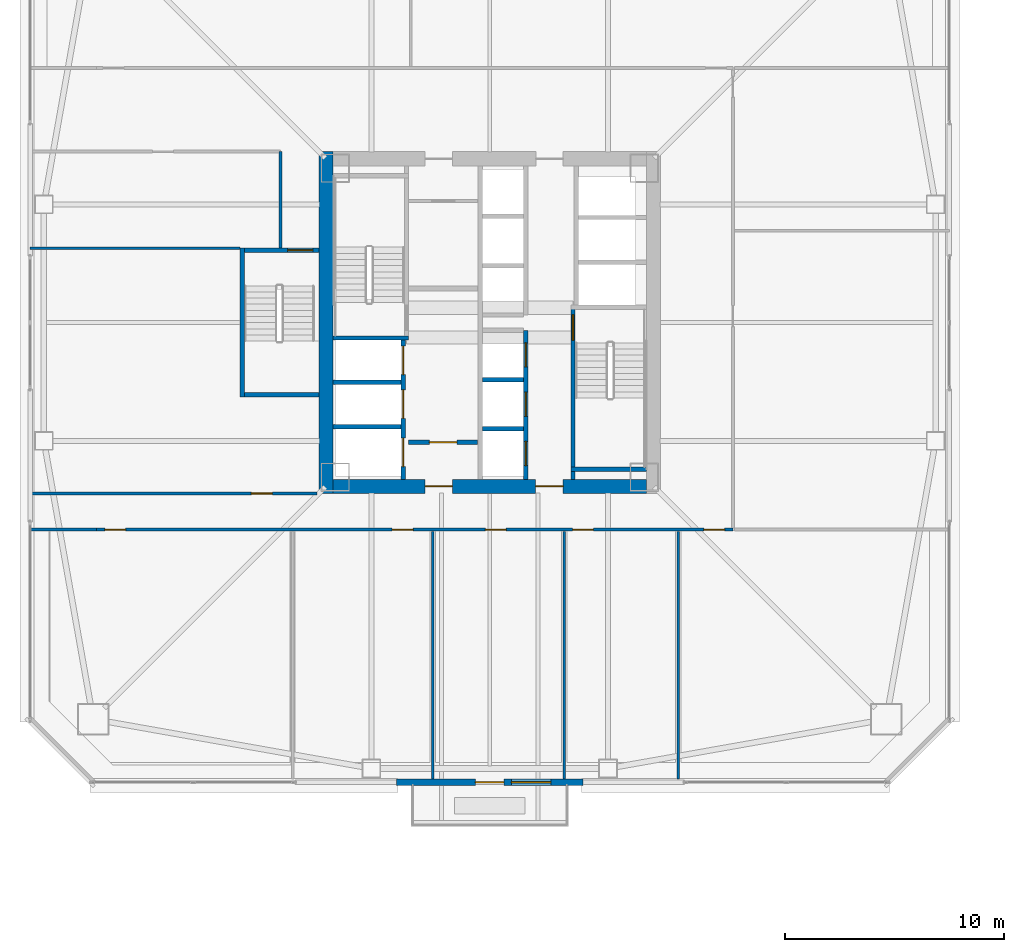
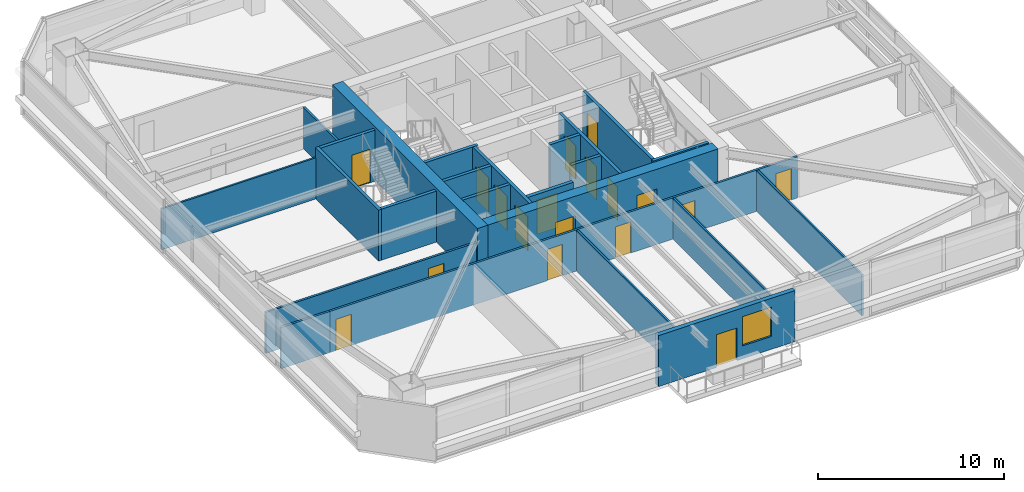
# One storey, part 33 of 44: 24 walls, 18 doors, 1 window, 19 openings.
"""IFC4 building model written with IfcOpenShell, lengths in metres."""

from ifc_helpers import new_model, si_unit, direction, frame, frame_2d, origin, place, context, subcontext, project, spatial, rectangle, extrude, material, layer, layer_set, type_object, element, fill, save


model = new_model("IFC4")

# Units and contexts
model_context = context("Model", 3, precision=1e-05, world=origin(), true_north=direction((0.0, 1.0)))
body_context = subcontext(model_context, "Body", "Model", "MODEL_VIEW")
ifc_project = project(units=[si_unit("LENGTHUNIT", "METRE"), si_unit("AREAUNIT", "SQUARE_METRE"), si_unit("VOLUMEUNIT", "CUBIC_METRE"), si_unit("PLANEANGLEUNIT", "RADIAN"), si_unit("MASSUNIT", "GRAM", prefix="KILO")], contexts=[model_context])

# Site, building, storey
site_placement = place(None, origin())
site = spatial("IfcSite", under=ifc_project, at=site_placement, CompositionType="ELEMENT")
building_placement = place(site_placement, origin())
building = spatial("IfcBuilding", under=site, at=building_placement, Name="Tashvorn Skyway Center", CompositionType="ELEMENT")
storey_placement = place(building_placement, frame((0.0, 0.0, 92.050048828125)))
storey = spatial("IfcBuildingStorey", under=building, at=storey_placement, Name="L24", CompositionType="ELEMENT", Elevation=92.050048828125)

# Wall
ifc_material_1 = material(Name="Concrete C60/75", Category="concrete")
ifc_layer_1 = layer(ifc_material_1, 0.64990234375)
ifc_layer_set_1 = layer_set([ifc_layer_1], Name="Concrete C60/75")
wall_type_1 = type_object("IfcWallType", Name="WALL-CORE-650", PredefinedType="SHEAR", material=ifc_layer_set_1)
wall_1_placement = place(storey_placement, frame((34.52490234375, 24.199951171875, 0.0), z_axis=(0.0, 0.0, 1.0), x_axis=(0.0, 1.0, 0.0)))
element("IfcWall", 1, at=wall_1_placement, inside=storey, type_object=wall_type_1, Name="Tower 1 L24 West Core Shear Wall", PredefinedType="SHEAR", context=body_context, shape_type="SweptSolid", body=[
    extrude(rectangle(XDim=15.60009765625, YDim=0.64990234375, at=frame_2d((7.800048828125, 0.0))), origin(), (0.0, 0.0, 1.0), 3.550048828125),
])

# Wall, openings, doors
wall_2_placement = place(storey_placement, frame((49.14990234375, 24.52490234375, 0.0), z_axis=(0.0, 0.0, 1.0), x_axis=(-1.0, 0.0, 0.0)))
wall_2 = element("IfcWall", 2, at=wall_2_placement, inside=storey, type_object=wall_type_1, Name="Tower 1 L24 South Core Shear Wall", PredefinedType="SHEAR", context=body_context, shape_type="SweptSolid", body=[
    extrude(rectangle(XDim=14.2998046875, YDim=0.64990234375, at=frame_2d((7.14990234375, 0.0))), origin(), (0.0, 0.0, 1.0), 3.550048828125),
])
opening_1_placement = place(wall_2_placement, frame((8.85009765625, 0.0, 0.0)))
opening_1 = element("IfcOpeningElement", 3, at=opening_1_placement, cuts=wall_2, Name="Opening D-FFL-1250", PredefinedType="OPENING", context=body_context, shape_type="SweptSolid", body=[
    extrude(rectangle(XDim=1.25, YDim=2.25, at=frame_2d((0.625, 1.125))), frame((0.0, 0.3349609375, 0.0), z_axis=(0.0, -1.0, 0.0), x_axis=(1.0, 0.0, 0.0)), (0.0, 0.0, 1.0), 0.669921875),
])
opening_2_placement = place(wall_2_placement, frame((3.800048828125, 0.0, 0.0)))
opening_2 = element("IfcOpeningElement", 4, at=opening_2_placement, cuts=wall_2, Name="Opening D-FFL-1250", PredefinedType="OPENING", context=body_context, shape_type="SweptSolid", body=[
    extrude(rectangle(XDim=1.25, YDim=2.25, at=frame_2d((0.625, 1.125))), frame((0.0, 0.3349609375, 0.0), z_axis=(0.0, -1.0, 0.0), x_axis=(1.0, 0.0, 0.0)), (0.0, 0.0, 1.0), 0.669921875),
])
ifc_material_2 = material(Name="Hollow galvanized steel fire door assembly", Category="steel")
door_type_1 = type_object("IfcDoorType", Name="DOOR-FFL-1250", OperationType="NOTDEFINED", PredefinedType="DOOR", material=ifc_material_2)
door_1_placement = place(opening_1_placement, origin())
door_1 = element("IfcDoor", 5, at=door_1_placement, inside=storey, type_object=door_type_1, Name="Tower 1 L24 Core South Firefighting Exit Door", OperationType="SINGLE_SWING_LEFT", OverallHeight=2.25, OverallWidth=1.25, PredefinedType="DOOR", context=body_context, shape_type="SweptSolid", body=[
    extrude(rectangle(XDim=1.25, YDim=2.25, at=frame_2d((0.625, 1.125))), frame((0.0, 0.02490234375, 0.0), z_axis=(0.0, -1.0, 0.0), x_axis=(1.0, 0.0, 0.0)), (0.0, 0.0, 1.0), 0.050048828125),
])
fill(opening_1, door_1)
door_2_placement = place(opening_2_placement, origin())
door_2 = element("IfcDoor", 6, at=door_2_placement, inside=storey, type_object=door_type_1, Name="Tower 1 L24 Core South Lift Lobby Door", OperationType="SINGLE_SWING_RIGHT", OverallHeight=2.25, OverallWidth=1.25, PredefinedType="DOOR", context=body_context, shape_type="SweptSolid", body=[
    extrude(rectangle(XDim=1.25, YDim=2.25, at=frame_2d((0.625, 1.125))), frame((0.0, 0.02490234375, 0.0), z_axis=(0.0, -1.0, 0.0), x_axis=(1.0, 0.0, 0.0)), (0.0, 0.0, 1.0), 0.050048828125),
])
fill(opening_2, door_2)

# Wall, openings, door, window
ifc_material_3 = material(Name="Precast concrete C40/50", Category="concrete")
ifc_layer_2 = layer(ifc_material_3, 0.280029296875)
ifc_layer_set_2 = layer_set([ifc_layer_2], Name="Precast concrete C40/50")
wall_type_2 = type_object("IfcWallType", Name="WALL-EXT-280", PredefinedType="SOLIDWALL", material=ifc_layer_set_2)
wall_3_placement = place(storey_placement, frame((46.25, 11.02001953125, 0.0), z_axis=(0.0, 0.0, 1.0), x_axis=(-1.0, 0.0, 0.0)))
wall_3 = element("IfcWall", 7, at=wall_3_placement, inside=storey, type_object=wall_type_2, Name="Tower 1 L24 South Terrace Portal Wall", PredefinedType="SOLIDWALL", context=body_context, shape_type="SweptSolid", body=[
    extrude(rectangle(XDim=8.5, YDim=0.280029296875, at=frame_2d((4.25, 0.0))), origin(), (0.0, 0.0, 1.0), 3.349853515625),
])
opening_3_placement = place(wall_3_placement, frame((3.60009765625, 0.0, 0.0)))
opening_3 = element("IfcOpeningElement", 8, at=opening_3_placement, cuts=wall_3, Name="Opening D-TER-1300", PredefinedType="OPENING", context=body_context, shape_type="SweptSolid", body=[
    extrude(rectangle(XDim=1.300048828125, YDim=2.14990234375, at=frame_2d((0.64990234375, 1.074951171875))), frame((0.0, 0.14990234375, 0.0), z_axis=(0.0, -1.0, 0.0), x_axis=(1.0, 0.0, 0.0)), (0.0, 0.0, 1.0), 0.300048828125),
])
opening_4_placement = place(wall_3_placement, frame((1.4599609375, 0.0, 0.85009765625)))
opening_4 = element("IfcOpeningElement", 9, at=opening_4_placement, cuts=wall_3, Name="Opening WIN-1800", PredefinedType="OPENING", context=body_context, shape_type="SweptSolid", body=[
    extrude(rectangle(XDim=1.800048828125, YDim=1.919921875, at=frame_2d((0.89990234375, 0.9599609375))), frame((0.0, 0.14990234375, 0.0), z_axis=(0.0, -1.0, 0.0), x_axis=(1.0, 0.0, 0.0)), (0.0, 0.0, 1.0), 0.300048828125),
])
ifc_material_4 = material(Name="Thermally broken bronze-anodized aluminium 6063-T6", Category="aluminium")
door_type_2 = type_object("IfcDoorType", Name="DOOR-TERR-1300", OperationType="NOTDEFINED", PredefinedType="DOOR", material=ifc_material_4)
door_3_placement = place(opening_3_placement, origin())
door_3 = element("IfcDoor", 10, at=door_3_placement, inside=storey, type_object=door_type_2, Name="Tower 1 L24 Terrace Access Door", OperationType="SINGLE_SWING_RIGHT", OverallHeight=2.14990234375, OverallWidth=1.300048828125, PredefinedType="DOOR", context=body_context, shape_type="SweptSolid", body=[
    extrude(rectangle(XDim=1.300048828125, YDim=2.14990234375, at=frame_2d((0.64990234375, 1.074951171875))), frame((0.0, 0.02490234375, 0.0), z_axis=(0.0, -1.0, 0.0), x_axis=(1.0, 0.0, 0.0)), (0.0, 0.0, 1.0), 0.050048828125),
])
fill(opening_3, door_3)
ifc_material_5 = material(Name="Low-E solar-control double insulating safety glass", Category="glass")
window_type = type_object("IfcWindowType", Name="WIN-TERR-1800", PartitioningType="SINGLE_PANEL", PredefinedType="WINDOW", material=ifc_material_5)
window_placement = place(opening_4_placement, origin())
window = element("IfcWindow", 11, at=window_placement, inside=storey, type_object=window_type, Name="Tower 1 L24 Terrace Window", OverallHeight=1.919921875, OverallWidth=1.800048828125, PartitioningType="SINGLE_PANEL", PredefinedType="WINDOW", context=body_context, shape_type="SweptSolid", body=[
    extrude(rectangle(XDim=1.800048828125, YDim=1.919921875, at=frame_2d((0.89990234375, 0.9599609375))), frame((0.0, 0.030029296875, 0.0), z_axis=(0.0, -1.0, 0.0), x_axis=(1.0, 0.0, 0.0)), (0.0, 0.0, 1.0), 0.06005859375),
])
fill(opening_4, window)

# Wall, opening, door
ifc_material_6 = material(Name="Concrete C40/50", Category="concrete")
ifc_layer_3 = layer(ifc_material_6, 0.219970703125)
ifc_layer_set_3 = layer_set([ifc_layer_3], Name="Concrete C40/50")
wall_type_3 = type_object("IfcWallType", Name="WALL-FFL-220", PredefinedType="SOLIDWALL", material=ifc_layer_set_3)
wall_4_placement = place(storey_placement, frame((38.300048828125, 26.5400390625, 0.0), z_axis=(0.0, 0.0, 1.0), x_axis=(1.0, 0.0, 0.0)))
wall_4 = element("IfcWall", 12, at=wall_4_placement, inside=storey, type_object=wall_type_3, Name="Tower 1 L24 Firefighting Lobby South Wall", PredefinedType="SOLIDWALL", context=body_context, shape_type="SweptSolid", body=[
    extrude(rectangle(XDim=3.14990234375, YDim=0.219970703125, at=frame_2d((1.574951171875, 0.0))), origin(), (0.0, 0.0, 1.0), 2.702880859375),
])
opening_5_placement = place(wall_4_placement, frame((0.949951171875, 0.0, 0.0)))
opening_5 = element("IfcOpeningElement", 13, at=opening_5_placement, cuts=wall_4, Name="Opening D-FFL-1250", PredefinedType="OPENING", context=body_context, shape_type="SweptSolid", body=[
    extrude(rectangle(XDim=1.25, YDim=2.25, at=frame_2d((0.625, 1.125))), frame((0.0, 0.119873046875, 0.0), z_axis=(0.0, -1.0, 0.0), x_axis=(1.0, 0.0, 0.0)), (0.0, 0.0, 1.0), 0.239990234375),
])
door_4_placement = place(opening_5_placement, origin())
door_4 = element("IfcDoor", 14, at=door_4_placement, inside=storey, type_object=door_type_1, Name="Tower 1 L24 Firefighting Lobby Egress Door", OperationType="SINGLE_SWING_LEFT", OverallHeight=2.25, OverallWidth=1.25, PredefinedType="DOOR", context=body_context, shape_type="SweptSolid", body=[
    extrude(rectangle(XDim=1.25, YDim=2.25, at=frame_2d((0.625, 1.125))), frame((0.0, 0.02490234375, 0.0), z_axis=(0.0, -1.0, 0.0), x_axis=(1.0, 0.0, 0.0)), (0.0, 0.0, 1.0), 0.050048828125),
])
fill(opening_5, door_4)

# Walls
ifc_material_7 = material(Name="Gypsum board on cold-formed steel stud framing", Category="steel")
ifc_layer_4 = layer(ifc_material_7, 0.110107421875)
ifc_layer_set_4 = layer_set([ifc_layer_4], Name="Gypsum board on cold-formed steel stud framing")
wall_type_4 = type_object("IfcWallType", Name="WALL-PART-110", PredefinedType="PARTITIONING", material=ifc_layer_set_4)
for number, where, z_axis, x_axis, name in (
    (15, (39.39990234375, 11.169921875, 0.0), (0.0, 0.0, 1.0), (0.0, 1.0, 0.0), "Tower 1 L24 South Suite Partition 2"),
    (16, (45.39990234375, 11.169921875, 0.0), (0.0, 0.0, 1.0), (0.0, 1.0, 0.0), "Tower 1 L24 South Suite Partition 3"),
    (17, (50.60009765625, 11.169921875, 0.0), (0.0, 0.0, 1.0), (0.0, 1.0, 0.0), "Tower 1 L24 South Suite Partition 4"),
):
    element("IfcWall", number, at=place(storey_placement, frame(where, z_axis=z_axis, x_axis=x_axis)), inside=storey, type_object=wall_type_4, Name=name, PredefinedType="PARTITIONING", context=body_context, shape_type="SweptSolid", body=[
        extrude(rectangle(XDim=11.300048828125, YDim=0.110107421875, at=frame_2d((5.64990234375, 0.0))), origin(), (0.0, 0.0, 1.0), 2.702880859375),
    ])
wall_5_placement = place(storey_placement, frame((30.60009765625, 35.39990234375, 0.0), z_axis=(0.0, 0.0, 1.0), x_axis=(-1.0, 0.0, 0.0)))
element("IfcWall", 18, at=wall_5_placement, inside=storey, type_object=wall_type_4, Name="Tower 1 L24 West Suite Partition 1", PredefinedType="PARTITIONING", context=body_context, shape_type="SweptSolid", body=[
    extrude(rectangle(XDim=9.580078125, YDim=0.110107421875, at=frame_2d((4.7900390625, 0.0))), origin(), (0.0, 0.0, 1.0), 2.702880859375),
])
ifc_layer_5 = layer(ifc_material_7, 0.135009765625)
ifc_layer_set_5 = layer_set([ifc_layer_5], Name="Gypsum board on cold-formed steel stud framing")
wall_type_5 = type_object("IfcWallType", Name="WALL-PART-135", PredefinedType="PARTITIONING", material=ifc_layer_set_5)
wall_6_placement = place(storey_placement, frame((32.449951171875, 35.39990234375, 0.0), z_axis=(0.0, 0.0, 1.0), x_axis=(0.0, 1.0, 0.0)))
element("IfcWall", 19, at=wall_6_placement, inside=storey, type_object=wall_type_5, Name="Tower 1 L24 Stair 3 Access Corridor Wall", PredefinedType="PARTITIONING", context=body_context, shape_type="SweptSolid", body=[
    extrude(rectangle(XDim=4.400146484375, YDim=0.135009765625, at=frame_2d((2.2001953125, 0.0))), origin(), (0.0, 0.0, 1.0), 2.702880859375),
])

# Wall, openings, doors
wall_7_placement = place(storey_placement, frame((53.10009765625, 22.550048828125, 0.0), z_axis=(0.0, 0.0, 1.0), x_axis=(-1.0, 0.0, 0.0)))
wall_7 = element("IfcWall", 20, at=wall_7_placement, inside=storey, type_object=wall_type_5, Name="Tower 1 L24 South Suite Wall", PredefinedType="PARTITIONING", context=body_context, shape_type="SweptSolid", body=[
    extrude(rectangle(XDim=29.050048828125, YDim=0.135009765625, at=frame_2d((14.52490234375, 0.0))), origin(), (0.0, 0.0, 1.0), 2.702880859375),
])
opening_6_placement = place(wall_7_placement, frame((27.719970703125, 0.0, 0.0)))
opening_6 = element("IfcOpeningElement", 21, at=opening_6_placement, cuts=wall_7, Name="Opening D-INT-950", PredefinedType="OPENING", context=body_context, shape_type="SweptSolid", body=[
    extrude(rectangle(XDim=0.949951171875, YDim=2.050048828125, at=frame_2d((0.47509765625, 1.02490234375))), frame((0.0, 0.077392578125, 0.0), z_axis=(0.0, -1.0, 0.0), x_axis=(1.0, 0.0, 0.0)), (0.0, 0.0, 1.0), 0.155029296875),
])
opening_7_placement = place(wall_7_placement, frame((14.60107421875, 0.0, 0.0)))
opening_7 = element("IfcOpeningElement", 22, at=opening_7_placement, cuts=wall_7, Name="Opening D-INT-950", PredefinedType="OPENING", context=body_context, shape_type="SweptSolid", body=[
    extrude(rectangle(XDim=0.949951171875, YDim=2.050048828125, at=frame_2d((0.47509765625, 1.02490234375))), frame((0.0, 0.077392578125, 0.0), z_axis=(0.0, -1.0, 0.0), x_axis=(1.0, 0.0, 0.0)), (0.0, 0.0, 1.0), 0.155029296875),
])
opening_8_placement = place(wall_7_placement, frame((10.351318359375, 0.0, 0.0)))
opening_8 = element("IfcOpeningElement", 23, at=opening_8_placement, cuts=wall_7, Name="Opening D-INT-950", PredefinedType="OPENING", context=body_context, shape_type="SweptSolid", body=[
    extrude(rectangle(XDim=0.949951171875, YDim=2.050048828125, at=frame_2d((0.47509765625, 1.02490234375))), frame((0.0, 0.077392578125, 0.0), z_axis=(0.0, -1.0, 0.0), x_axis=(1.0, 0.0, 0.0)), (0.0, 0.0, 1.0), 0.155029296875),
])
opening_9_placement = place(wall_7_placement, frame((6.3701171875, 0.0, 0.0)))
opening_9 = element("IfcOpeningElement", 24, at=opening_9_placement, cuts=wall_7, Name="Opening D-INT-950", PredefinedType="OPENING", context=body_context, shape_type="SweptSolid", body=[
    extrude(rectangle(XDim=0.949951171875, YDim=2.050048828125, at=frame_2d((0.47509765625, 1.02490234375))), frame((0.0, 0.077392578125, 0.0), z_axis=(0.0, -1.0, 0.0), x_axis=(1.0, 0.0, 0.0)), (0.0, 0.0, 1.0), 0.155029296875),
])
opening_10_placement = place(wall_7_placement, frame((0.3798828125, 0.0, 0.0)))
opening_10 = element("IfcOpeningElement", 25, at=opening_10_placement, cuts=wall_7, Name="Opening D-INT-950", PredefinedType="OPENING", context=body_context, shape_type="SweptSolid", body=[
    extrude(rectangle(XDim=0.949951171875, YDim=2.050048828125, at=frame_2d((0.47509765625, 1.02490234375))), frame((0.0, 0.077392578125, 0.0), z_axis=(0.0, -1.0, 0.0), x_axis=(1.0, 0.0, 0.0)), (0.0, 0.0, 1.0), 0.155029296875),
])
ifc_material_8 = material(Name="Solid-core architectural oak veneer door")
door_type_3 = type_object("IfcDoorType", Name="DOOR-INT-950", OperationType="NOTDEFINED", PredefinedType="DOOR", material=ifc_material_8)
door_5_placement = place(opening_6_placement, origin())
door_5 = element("IfcDoor", 26, at=door_5_placement, inside=storey, type_object=door_type_3, Name="Tower 1 L24 Executive Study Lounge Door", OperationType="SINGLE_SWING_LEFT", OverallHeight=2.050048828125, OverallWidth=0.949951171875, PredefinedType="DOOR", context=body_context, shape_type="SweptSolid", body=[
    extrude(rectangle(XDim=0.949951171875, YDim=2.050048828125, at=frame_2d((0.47509765625, 1.02490234375))), frame((0.0, 0.02490234375, 0.0), z_axis=(0.0, -1.0, 0.0), x_axis=(1.0, 0.0, 0.0)), (0.0, 0.0, 1.0), 0.050048828125),
])
fill(opening_6, door_5)
door_6_placement = place(opening_7_placement, origin())
door_6 = element("IfcDoor", 27, at=door_6_placement, inside=storey, type_object=door_type_3, Name="Tower 1 L24 Collaborative Studio Door", OperationType="SINGLE_SWING_RIGHT", OverallHeight=2.050048828125, OverallWidth=0.949951171875, PredefinedType="DOOR", context=body_context, shape_type="SweptSolid", body=[
    extrude(rectangle(XDim=0.949951171875, YDim=2.050048828125, at=frame_2d((0.47509765625, 1.02490234375))), frame((0.0, 0.02490234375, 0.0), z_axis=(0.0, -1.0, 0.0), x_axis=(1.0, 0.0, 0.0)), (0.0, 0.0, 1.0), 0.050048828125),
])
fill(opening_7, door_6)
door_7_placement = place(opening_8_placement, origin())
door_7 = element("IfcDoor", 28, at=door_7_placement, inside=storey, type_object=door_type_3, Name="Tower 1 L24 Collaborative Studio Door", OperationType="SINGLE_SWING_LEFT", OverallHeight=2.050048828125, OverallWidth=0.949951171875, PredefinedType="DOOR", context=body_context, shape_type="SweptSolid", body=[
    extrude(rectangle(XDim=0.949951171875, YDim=2.050048828125, at=frame_2d((0.47509765625, 1.02490234375))), frame((0.0, 0.02490234375, 0.0), z_axis=(0.0, -1.0, 0.0), x_axis=(1.0, 0.0, 0.0)), (0.0, 0.0, 1.0), 0.050048828125),
])
fill(opening_8, door_7)
door_8_placement = place(opening_9_placement, origin())
door_8 = element("IfcDoor", 29, at=door_8_placement, inside=storey, type_object=door_type_3, Name="Tower 1 L24 Reading Lounge Door", OperationType="SINGLE_SWING_RIGHT", OverallHeight=2.050048828125, OverallWidth=0.949951171875, PredefinedType="DOOR", context=body_context, shape_type="SweptSolid", body=[
    extrude(rectangle(XDim=0.949951171875, YDim=2.050048828125, at=frame_2d((0.47509765625, 1.02490234375))), frame((0.0, 0.02490234375, 0.0), z_axis=(0.0, -1.0, 0.0), x_axis=(1.0, 0.0, 0.0)), (0.0, 0.0, 1.0), 0.050048828125),
])
fill(opening_9, door_8)
door_9_placement = place(opening_10_placement, origin())
door_9 = element("IfcDoor", 30, at=door_9_placement, inside=storey, type_object=door_type_3, Name="Tower 1 L24 Open Plan Office Door", OperationType="SINGLE_SWING_LEFT", OverallHeight=2.050048828125, OverallWidth=0.949951171875, PredefinedType="DOOR", context=body_context, shape_type="SweptSolid", body=[
    extrude(rectangle(XDim=0.949951171875, YDim=2.050048828125, at=frame_2d((0.47509765625, 1.02490234375))), frame((0.0, 0.02490234375, 0.0), z_axis=(0.0, -1.0, 0.0), x_axis=(1.0, 0.0, 0.0)), (0.0, 0.0, 1.0), 0.050048828125),
])
fill(opening_10, door_9)

# Wall
wall_8_placement = place(storey_placement, frame((21.02001953125, 22.550048828125, 0.0), z_axis=(0.0, 0.0, 1.0), x_axis=(1.0, 0.0, 0.0)))
element("IfcWall", 31, at=wall_8_placement, inside=storey, type_object=wall_type_5, Name="Tower 1 L24 South-West Suite North Wall", PredefinedType="PARTITIONING", context=body_context, shape_type="SweptSolid", body=[
    extrude(rectangle(XDim=3.030029296875, YDim=0.135009765625, at=frame_2d((1.51513671875, 0.0))), origin(), (0.0, 0.0, 1.0), 2.702880859375),
])

# Wall, opening, door
wall_9_placement = place(storey_placement, frame((21.02001953125, 24.199951171875, 0.0), z_axis=(0.0, 0.0, 1.0), x_axis=(1.0, 0.0, 0.0)))
wall_9 = element("IfcWall", 32, at=wall_9_placement, inside=storey, type_object=wall_type_5, Name="Tower 1 L24 West Suite South Wall", PredefinedType="PARTITIONING", context=body_context, shape_type="SweptSolid", body=[
    extrude(rectangle(XDim=13.10009765625, YDim=0.135009765625, at=frame_2d((6.550048828125, 0.0))), origin(), (0.0, 0.0, 1.0), 2.702880859375),
])
opening_11_placement = place(wall_9_placement, frame((10.10498046875, 0.0, 0.0)))
opening_11 = element("IfcOpeningElement", 33, at=opening_11_placement, cuts=wall_9, Name="Opening D-INT-950", PredefinedType="OPENING", context=body_context, shape_type="SweptSolid", body=[
    extrude(rectangle(XDim=0.949951171875, YDim=2.050048828125, at=frame_2d((0.47509765625, 1.02490234375))), frame((0.0, 0.077392578125, 0.0), z_axis=(0.0, -1.0, 0.0), x_axis=(1.0, 0.0, 0.0)), (0.0, 0.0, 1.0), 0.155029296875),
])
door_10_placement = place(opening_11_placement, origin())
door_10 = element("IfcDoor", 34, at=door_10_placement, inside=storey, type_object=door_type_3, Name="Tower 1 L24 Public Restroom Door", OperationType="SINGLE_SWING_LEFT", OverallHeight=2.050048828125, OverallWidth=0.949951171875, PredefinedType="DOOR", context=body_context, shape_type="SweptSolid", body=[
    extrude(rectangle(XDim=0.949951171875, YDim=2.050048828125, at=frame_2d((0.47509765625, 1.02490234375))), frame((0.0, 0.02490234375, 0.0), z_axis=(0.0, -1.0, 0.0), x_axis=(1.0, 0.0, 0.0)), (0.0, 0.0, 1.0), 0.050048828125),
])
fill(opening_11, door_10)

# Walls
ifc_layer_6 = layer(ifc_material_6, 0.199951171875)
ifc_layer_set_6 = layer_set([ifc_layer_6], Name="Concrete C40/50")
wall_type_6 = type_object("IfcWallType", Name="WALL-SHAFT-200", PredefinedType="SOLIDWALL", material=ifc_layer_set_6)
for number, where, z_axis, x_axis, name in (
    (35, (34.85009765625, 27.25, 0.0), (0.0, 0.0, 1.0), (1.0, 0.0, 0.0), "Tower 1 L24 FSAE Shaft Divider"),
    (36, (34.85009765625, 29.280029296875, 0.0), (0.0, 0.0, 1.0), (1.0, 0.0, 0.0), "Tower 1 L24 FSAE Shaft Divider"),
):
    element("IfcWall", number, at=place(storey_placement, frame(where, z_axis=z_axis, x_axis=x_axis)), inside=storey, type_object=wall_type_6, Name=name, PredefinedType="SOLIDWALL", context=body_context, shape_type="SweptSolid", body=[
        extrude(rectangle(XDim=3.099853515625, YDim=0.199951171875, at=frame_2d((1.5498046875, 0.0))), origin(), (0.0, 0.0, 1.0), 3.349853515625),
    ])

# Wall, openings, doors
wall_10_placement = place(storey_placement, frame((43.64990234375, 24.85009765625, 0.0), z_axis=(0.0, 0.0, 1.0), x_axis=(0.0, 1.0, 0.0)))
wall_10 = element("IfcWall", 37, at=wall_10_placement, inside=storey, type_object=wall_type_6, Name="Tower 1 L24 Low-Rise Core Wall", PredefinedType="SOLIDWALL", context=body_context, shape_type="SweptSolid", body=[
    extrude(rectangle(XDim=6.7998046875, YDim=0.199951171875, at=frame_2d((3.39990234375, 0.0))), origin(), (0.0, 0.0, 1.0), 3.349853515625),
])
opening_12_placement = place(wall_10_placement, frame((0.625, 0.0, 0.0)))
opening_12 = element("IfcOpeningElement", 38, at=opening_12_placement, cuts=wall_10, Name="Opening LD-LR-T1-1-L24", PredefinedType="OPENING", context=body_context, shape_type="SweptSolid", body=[
    extrude(rectangle(XDim=1.10009765625, YDim=2.199951171875, at=frame_2d((0.550048828125, 1.10009765625))), frame((0.0, 0.10986328125, 0.0), z_axis=(0.0, -1.0, 0.0), x_axis=(1.0, 0.0, 0.0)), (0.0, 0.0, 1.0), 0.219970703125),
])
opening_13_placement = place(wall_10_placement, frame((2.875, 0.0, 0.0)))
opening_13 = element("IfcOpeningElement", 39, at=opening_13_placement, cuts=wall_10, Name="Opening LD-LR-T1-2-L24", PredefinedType="OPENING", context=body_context, shape_type="SweptSolid", body=[
    extrude(rectangle(XDim=1.10009765625, YDim=2.199951171875, at=frame_2d((0.550048828125, 1.10009765625))), frame((0.0, 0.10986328125, 0.0), z_axis=(0.0, -1.0, 0.0), x_axis=(1.0, 0.0, 0.0)), (0.0, 0.0, 1.0), 0.219970703125),
])
opening_14_placement = place(wall_10_placement, frame((5.125, 0.0, 0.0)))
opening_14 = element("IfcOpeningElement", 40, at=opening_14_placement, cuts=wall_10, Name="Opening LD-LR-T1-3-L24", PredefinedType="OPENING", context=body_context, shape_type="SweptSolid", body=[
    extrude(rectangle(XDim=1.10009765625, YDim=2.199951171875, at=frame_2d((0.550048828125, 1.10009765625))), frame((0.0, 0.10986328125, 0.0), z_axis=(0.0, -1.0, 0.0), x_axis=(1.0, 0.0, 0.0)), (0.0, 0.0, 1.0), 0.219970703125),
])
ifc_material_9 = material(Name="Stainless steel landing door", Category="steel")
door_type_4 = type_object("IfcDoorType", Name="DOOR-LIFT-1100", OperationType="SLIDING_TO_LEFT", PredefinedType="DOOR", material=ifc_material_9)
door_11_placement = place(opening_12_placement, origin())
door_11 = element("IfcDoor", 41, at=door_11_placement, inside=storey, type_object=door_type_4, Name="Lift LR-T1-1 L24 Landing Door", OperationType="SLIDING_TO_LEFT", OverallHeight=2.199951171875, OverallWidth=1.10009765625, PredefinedType="DOOR", context=body_context, shape_type="SweptSolid", body=[
    extrude(rectangle(XDim=1.10009765625, YDim=2.199951171875, at=frame_2d((0.550048828125, 1.10009765625))), frame((0.0, 0.02490234375, 0.0), z_axis=(0.0, -1.0, 0.0), x_axis=(1.0, 0.0, 0.0)), (0.0, 0.0, 1.0), 0.050048828125),
])
fill(opening_12, door_11)
door_12_placement = place(opening_13_placement, origin())
door_12 = element("IfcDoor", 42, at=door_12_placement, inside=storey, type_object=door_type_4, Name="Lift LR-T1-2 L24 Landing Door", OperationType="SLIDING_TO_LEFT", OverallHeight=2.199951171875, OverallWidth=1.10009765625, PredefinedType="DOOR", context=body_context, shape_type="SweptSolid", body=[
    extrude(rectangle(XDim=1.10009765625, YDim=2.199951171875, at=frame_2d((0.550048828125, 1.10009765625))), frame((0.0, 0.02490234375, 0.0), z_axis=(0.0, -1.0, 0.0), x_axis=(1.0, 0.0, 0.0)), (0.0, 0.0, 1.0), 0.050048828125),
])
fill(opening_13, door_12)
door_13_placement = place(opening_14_placement, origin())
door_13 = element("IfcDoor", 43, at=door_13_placement, inside=storey, type_object=door_type_4, Name="Lift LR-T1-3 L24 Landing Door", OperationType="SLIDING_TO_LEFT", OverallHeight=2.199951171875, OverallWidth=1.10009765625, PredefinedType="DOOR", context=body_context, shape_type="SweptSolid", body=[
    extrude(rectangle(XDim=1.10009765625, YDim=2.199951171875, at=frame_2d((0.550048828125, 1.10009765625))), frame((0.0, 0.02490234375, 0.0), z_axis=(0.0, -1.0, 0.0), x_axis=(1.0, 0.0, 0.0)), (0.0, 0.0, 1.0), 0.050048828125),
])
fill(opening_14, door_13)

# Walls
for number, where, z_axis, x_axis, name in (
    (44, (41.669921875, 27.14990234375, 0.0), (0.0, 0.0, 1.0), (1.0, 0.0, 0.0), "Tower 1 L24 Low-Rise Shaft Divider"),
    (45, (41.669921875, 29.39990234375, 0.0), (0.0, 0.0, 1.0), (1.0, 0.0, 0.0), "Tower 1 L24 Low-Rise Shaft Divider"),
):
    element("IfcWall", number, at=place(storey_placement, frame(where, z_axis=z_axis, x_axis=x_axis)), inside=storey, type_object=wall_type_6, Name=name, PredefinedType="SOLIDWALL", context=body_context, shape_type="SweptSolid", body=[
        extrude(rectangle(XDim=1.880126953125, YDim=0.199951171875, at=frame_2d((0.93994140625, 0.0))), origin(), (0.0, 0.0, 1.0), 3.349853515625),
    ])
ifc_layer_7 = layer(ifc_material_6, 0.199951171875)
ifc_layer_set_7 = layer_set([ifc_layer_7], Name="Concrete C40/50")
wall_type_7 = type_object("IfcWallType", Name="WALL-STSHF-200", PredefinedType="SHEAR", material=ifc_layer_set_7)
wall_11_placement = place(storey_placement, frame((34.85009765625, 31.300048828125, 0.0), z_axis=(0.0, 0.0, 1.0), x_axis=(1.0, 0.0, 0.0)))
element("IfcWall", 46, at=wall_11_placement, inside=storey, type_object=wall_type_7, Name="Tower 1 L24 Stair 1 South Wall", PredefinedType="SHEAR", context=body_context, shape_type="SweptSolid", body=[
    extrude(rectangle(XDim=3.449951171875, YDim=0.199951171875, at=frame_2d((1.72509765625, 0.0))), origin(), (0.0, 0.0, 1.0), 3.349853515625),
])

# Wall, opening, door
wall_12_placement = place(storey_placement, frame((45.800048828125, 32.800048828125, 0.0), z_axis=(0.0, 0.0, 1.0), x_axis=(0.0, -1.0, 0.0)))
wall_12 = element("IfcWall", 47, at=wall_12_placement, inside=storey, type_object=wall_type_7, Name="Tower 1 L24 Stair 2 Enclosure Wall", PredefinedType="SHEAR", context=body_context, shape_type="SweptSolid", body=[
    extrude(rectangle(XDim=7.949951171875, YDim=0.199951171875, at=frame_2d((3.97509765625, 0.0))), origin(), (0.0, 0.0, 1.0), 3.349853515625),
])
opening_15_placement = place(wall_12_placement, frame((0.449951171875, 0.0, 0.0)))
opening_15 = element("IfcOpeningElement", 48, at=opening_15_placement, cuts=wall_12, Name="Opening D-ST-1150", PredefinedType="OPENING", context=body_context, shape_type="SweptSolid", body=[
    extrude(rectangle(XDim=1.14990234375, YDim=2.199951171875, at=frame_2d((0.574951171875, 1.10009765625))), frame((0.0, 0.10986328125, 0.0), z_axis=(0.0, -1.0, 0.0), x_axis=(1.0, 0.0, 0.0)), (0.0, 0.0, 1.0), 0.219970703125),
])
door_type_5 = type_object("IfcDoorType", Name="DOOR-STAIR-1150", OperationType="NOTDEFINED", PredefinedType="DOOR", material=ifc_material_2)
door_14_placement = place(opening_15_placement, origin())
door_14 = element("IfcDoor", 49, at=door_14_placement, inside=storey, type_object=door_type_5, Name="Tower 1 L24 Exit Stair 2 Door", OperationType="SINGLE_SWING_RIGHT", OverallHeight=2.199951171875, OverallWidth=1.14990234375, PredefinedType="DOOR", context=body_context, shape_type="SweptSolid", body=[
    extrude(rectangle(XDim=1.14990234375, YDim=2.199951171875, at=frame_2d((0.574951171875, 1.10009765625))), frame((0.0, 0.02490234375, 0.0), z_axis=(0.0, -1.0, 0.0), x_axis=(1.0, 0.0, 0.0)), (0.0, 0.0, 1.0), 0.050048828125),
])
fill(opening_15, door_14)

# Wall
wall_13_placement = place(storey_placement, frame((45.699951171875, 25.300048828125, 0.0), z_axis=(0.0, 0.0, 1.0), x_axis=(1.0, 0.0, 0.0)))
element("IfcWall", 50, at=wall_13_placement, inside=storey, type_object=wall_type_7, Name="Tower 1 L24 Stair 2 South Wall", PredefinedType="SHEAR", context=body_context, shape_type="SweptSolid", body=[
    extrude(rectangle(XDim=3.449951171875, YDim=0.199951171875, at=frame_2d((1.72509765625, 0.0))), origin(), (0.0, 0.0, 1.0), 3.349853515625),
])

# Wall, openings, doors
wall_14_placement = place(storey_placement, frame((38.050048828125, 24.85009765625, 0.0), z_axis=(0.0, 0.0, 1.0), x_axis=(0.0, 1.0, 0.0)))
wall_14 = element("IfcWall", 51, at=wall_14_placement, inside=storey, type_object=wall_type_7, Name="Tower 1 L24 FSAE and Goods Shaft Front Wall", PredefinedType="SHEAR", context=body_context, shape_type="SweptSolid", body=[
    extrude(rectangle(XDim=6.349853515625, YDim=0.199951171875, at=frame_2d((3.1748046875, 0.0))), origin(), (0.0, 0.0, 1.0), 3.349853515625),
])
opening_16_placement = place(wall_14_placement, frame((4.77490234375, 0.0, 0.0)))
opening_16 = element("IfcOpeningElement", 52, at=opening_16_placement, cuts=wall_14, Name="Opening LD-FF-T1-1-L24", PredefinedType="OPENING", context=body_context, shape_type="SweptSolid", body=[
    extrude(rectangle(XDim=1.300048828125, YDim=2.25, at=frame_2d((0.64990234375, 1.125))), frame((0.0, 0.10986328125, 0.0), z_axis=(0.0, -1.0, 0.0), x_axis=(1.0, 0.0, 0.0)), (0.0, 0.0, 1.0), 0.219970703125),
])
opening_17_placement = place(wall_14_placement, frame((2.77490234375, 0.0, 0.0)))
opening_17 = element("IfcOpeningElement", 53, at=opening_17_placement, cuts=wall_14, Name="Opening LD-FF-T1-2-L24", PredefinedType="OPENING", context=body_context, shape_type="SweptSolid", body=[
    extrude(rectangle(XDim=1.300048828125, YDim=2.25, at=frame_2d((0.64990234375, 1.125))), frame((0.0, 0.10986328125, 0.0), z_axis=(0.0, -1.0, 0.0), x_axis=(1.0, 0.0, 0.0)), (0.0, 0.0, 1.0), 0.219970703125),
])
opening_18_placement = place(wall_14_placement, frame((0.574951171875, 0.0, 0.0)))
opening_18 = element("IfcOpeningElement", 54, at=opening_18_placement, cuts=wall_14, Name="Opening LD-GD-T1-1-L24", PredefinedType="OPENING", context=body_context, shape_type="SweptSolid", body=[
    extrude(rectangle(XDim=1.300048828125, YDim=2.25, at=frame_2d((0.64990234375, 1.125))), frame((0.0, 0.10986328125, 0.0), z_axis=(0.0, -1.0, 0.0), x_axis=(1.0, 0.0, 0.0)), (0.0, 0.0, 1.0), 0.219970703125),
])
ifc_material_10 = material(Name="Stainless steel heavy-duty landing door", Category="steel")
door_type_6 = type_object("IfcDoorType", Name="DOOR-LIFT-1300", OperationType="SLIDING_TO_LEFT", PredefinedType="DOOR", material=ifc_material_10)
door_15_placement = place(opening_16_placement, origin())
door_15 = element("IfcDoor", 55, at=door_15_placement, inside=storey, type_object=door_type_6, Name="Lift FF-T1-1 L24 Landing Door", OperationType="SLIDING_TO_LEFT", OverallHeight=2.25, OverallWidth=1.300048828125, PredefinedType="DOOR", context=body_context, shape_type="SweptSolid", body=[
    extrude(rectangle(XDim=1.300048828125, YDim=2.25, at=frame_2d((0.64990234375, 1.125))), frame((0.0, 0.02490234375, 0.0), z_axis=(0.0, -1.0, 0.0), x_axis=(1.0, 0.0, 0.0)), (0.0, 0.0, 1.0), 0.050048828125),
])
fill(opening_16, door_15)
door_16_placement = place(opening_17_placement, origin())
door_16 = element("IfcDoor", 56, at=door_16_placement, inside=storey, type_object=door_type_6, Name="Lift FF-T1-2 L24 Landing Door", OperationType="SLIDING_TO_LEFT", OverallHeight=2.25, OverallWidth=1.300048828125, PredefinedType="DOOR", context=body_context, shape_type="SweptSolid", body=[
    extrude(rectangle(XDim=1.300048828125, YDim=2.25, at=frame_2d((0.64990234375, 1.125))), frame((0.0, 0.02490234375, 0.0), z_axis=(0.0, -1.0, 0.0), x_axis=(1.0, 0.0, 0.0)), (0.0, 0.0, 1.0), 0.050048828125),
])
fill(opening_17, door_16)
door_17_placement = place(opening_18_placement, origin())
door_17 = element("IfcDoor", 57, at=door_17_placement, inside=storey, type_object=door_type_6, Name="Lift GD-T1-1 L24 Landing Door", OperationType="SLIDING_TO_LEFT", OverallHeight=2.25, OverallWidth=1.300048828125, PredefinedType="DOOR", context=body_context, shape_type="SweptSolid", body=[
    extrude(rectangle(XDim=1.300048828125, YDim=2.25, at=frame_2d((0.64990234375, 1.125))), frame((0.0, 0.02490234375, 0.0), z_axis=(0.0, -1.0, 0.0), x_axis=(1.0, 0.0, 0.0)), (0.0, 0.0, 1.0), 0.050048828125),
])
fill(opening_18, door_17)

# Wall
wall_15_placement = place(storey_placement, frame((30.699951171875, 28.60009765625, 0.0), z_axis=(0.0, 0.0, 1.0), x_axis=(0.0, 1.0, 0.0)))
element("IfcWall", 58, at=wall_15_placement, inside=storey, type_object=wall_type_7, Name="Tower 1 L24 Stair 3 Outer Wall", PredefinedType="SHEAR", context=body_context, shape_type="SweptSolid", body=[
    extrude(rectangle(XDim=6.7998046875, YDim=0.199951171875, at=frame_2d((3.39990234375, 0.0))), origin(), (0.0, 0.0, 1.0), 3.349853515625),
])

# Wall, opening, door
wall_16_placement = place(storey_placement, frame((34.199951171875, 35.300048828125, 0.0), z_axis=(0.0, 0.0, 1.0), x_axis=(-1.0, 0.0, 0.0)))
wall_16 = element("IfcWall", 59, at=wall_16_placement, inside=storey, type_object=wall_type_7, Name="Tower 1 L24 Stair 3 Enclosure Wall", PredefinedType="SHEAR", context=body_context, shape_type="SweptSolid", body=[
    extrude(rectangle(XDim=3.39990234375, YDim=0.199951171875, at=frame_2d((1.699951171875, 0.0))), origin(), (0.0, 0.0, 1.0), 3.349853515625),
])
opening_19_placement = place(wall_16_placement, frame((0.27490234375, 0.0, 0.0)))
opening_19 = element("IfcOpeningElement", 60, at=opening_19_placement, cuts=wall_16, Name="Opening D-ST-1150", PredefinedType="OPENING", context=body_context, shape_type="SweptSolid", body=[
    extrude(rectangle(XDim=1.14990234375, YDim=2.199951171875, at=frame_2d((0.574951171875, 1.10009765625))), frame((0.0, 0.10986328125, 0.0), z_axis=(0.0, -1.0, 0.0), x_axis=(1.0, 0.0, 0.0)), (0.0, 0.0, 1.0), 0.219970703125),
])
door_18_placement = place(opening_19_placement, origin())
door_18 = element("IfcDoor", 61, at=door_18_placement, inside=storey, type_object=door_type_5, Name="Tower 1 L24 Exit Stair 3 Door", OperationType="SINGLE_SWING_RIGHT", OverallHeight=2.199951171875, OverallWidth=1.14990234375, PredefinedType="DOOR", context=body_context, shape_type="SweptSolid", body=[
    extrude(rectangle(XDim=1.14990234375, YDim=2.199951171875, at=frame_2d((0.574951171875, 1.10009765625))), frame((0.0, 0.02490234375, 0.0), z_axis=(0.0, -1.0, 0.0), x_axis=(1.0, 0.0, 0.0)), (0.0, 0.0, 1.0), 0.050048828125),
])
fill(opening_19, door_18)

# Wall
wall_17_placement = place(storey_placement, frame((30.800048828125, 28.699951171875, 0.0), z_axis=(0.0, 0.0, 1.0), x_axis=(1.0, 0.0, 0.0)))
element("IfcWall", 62, at=wall_17_placement, inside=storey, type_object=wall_type_7, Name="Tower 1 L24 Stair 3 South Wall", PredefinedType="SHEAR", context=body_context, shape_type="SweptSolid", body=[
    extrude(rectangle(XDim=3.39990234375, YDim=0.199951171875, at=frame_2d((1.699951171875, 0.0))), origin(), (0.0, 0.0, 1.0), 3.349853515625),
])

save(model, "model.ifc")
